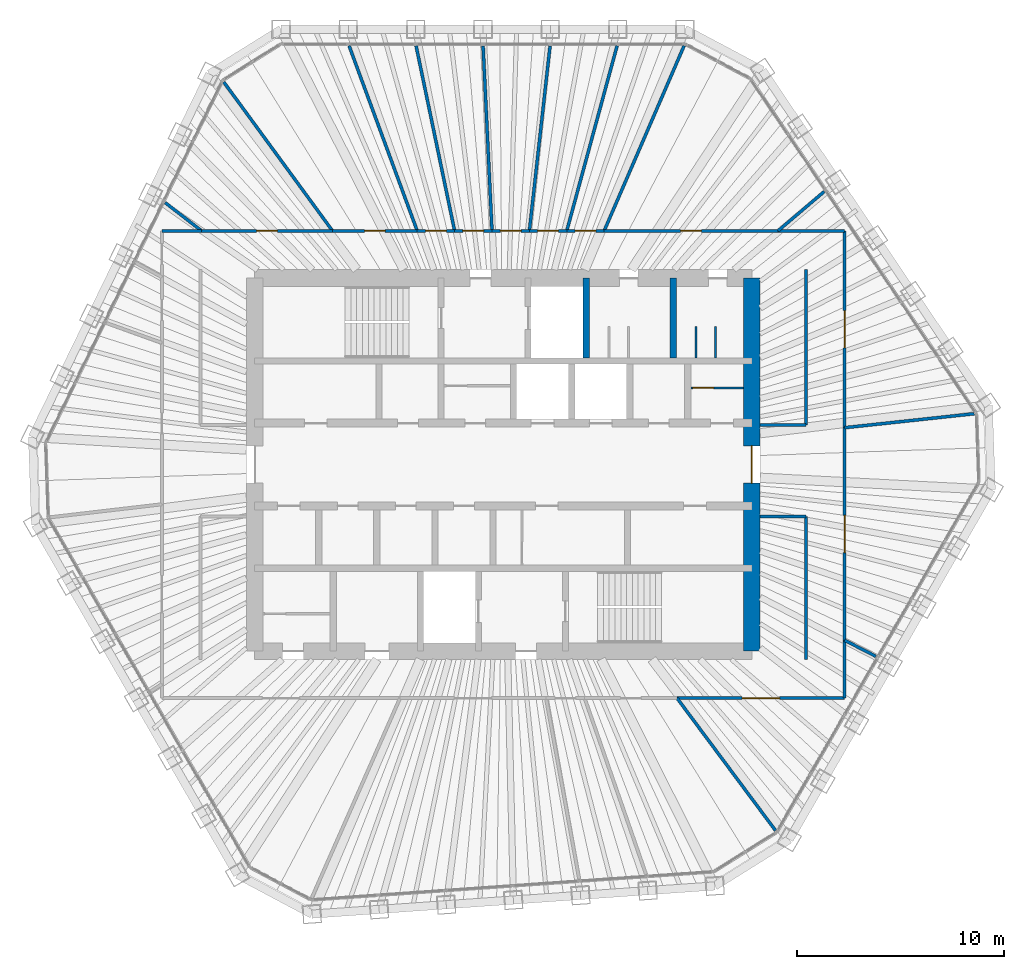
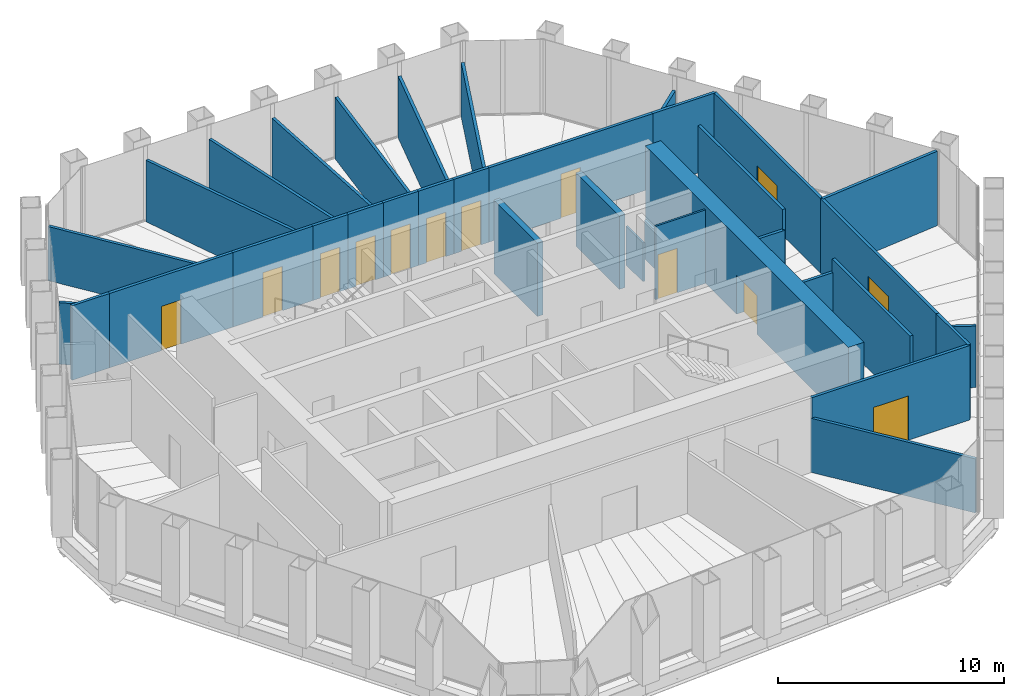
# One storey, part 13 of 15: 36 walls, 13 doors, 13 openings.
"""IFC4 building model written with IfcOpenShell, lengths in metres."""

from ifc_helpers import new_model, si_unit, direction, frame, frame_2d, origin, place, context, subcontext, project, spatial, rectangle, extrude, material, layer, layer_set, type_object, element, fill, save


model = new_model("IFC4")

# Units and contexts
model_context = context("Model", 3, precision=1e-05, world=origin(), true_north=direction((0.0, 1.0)))
body_context = subcontext(model_context, "Body", "Model", "MODEL_VIEW")
ifc_project = project(units=[si_unit("LENGTHUNIT", "METRE"), si_unit("AREAUNIT", "SQUARE_METRE"), si_unit("VOLUMEUNIT", "CUBIC_METRE"), si_unit("PLANEANGLEUNIT", "RADIAN"), si_unit("MASSUNIT", "GRAM", prefix="KILO")], contexts=[model_context])

# Site, building, storey
site_placement = place(None, origin())
site = spatial("IfcSite", under=ifc_project, at=site_placement, CompositionType="ELEMENT")
building_placement = place(site_placement, origin())
building = spatial("IfcBuilding", under=site, at=building_placement, Name="Qingtian Harvest Tower", CompositionType="ELEMENT")
storey_placement = place(building_placement, frame((0.0, 0.0, 312.39990234375)))
storey = spatial("IfcBuildingStorey", under=building, at=storey_placement, Name="L69", CompositionType="ELEMENT", Elevation=312.39990234375)

# Walls
ifc_material_1 = material(Name="Precast concrete shaft panel", Category="concrete")
ifc_layer_1 = layer(ifc_material_1, 0.300048828125)
ifc_layer_set_1 = layer_set([ifc_layer_1], Name="Core shaft partition SW1 300")
wall_type_1 = type_object("IfcWallType", Name="Core shaft partition SW1 300", PredefinedType="PARTITIONING", material=ifc_layer_set_1)
for number, where, z_axis, x_axis, name in (
    (1, (4.0, 5.14990234375, 0.0), (0.0, 0.0, 1.0), (0.0, 1.0, 0.0), "Core shaft partition XN3 L69"),
    (2, (8.199951171875, 5.14990234375, 0.0), (0.0, 0.0, 1.0), (0.0, 1.0, 0.0), "Core shaft partition XN4 L69"),
):
    element("IfcWall", number, at=place(storey_placement, frame(where, z_axis=z_axis, x_axis=x_axis)), inside=storey, type_object=wall_type_1, Name=name, PredefinedType="PARTITIONING", context=body_context, shape_type="SweptSolid", body=[
        extrude(rectangle(XDim=3.85009765625, YDim=0.300048828125, at=frame_2d((1.925048828125, 0.0))), origin(), (0.0, 0.0, 1.0), 3.97998046875),
    ])

# Wall, opening, door
ifc_material_2 = material(Name="Concrete fc' 70 MPa", Category="concrete")
ifc_layer_2 = layer(ifc_material_2, 0.800048828125)
ifc_layer_set_2 = layer_set([ifc_layer_2], Name="Core wall RC4 800")
wall_type_2 = type_object("IfcWallType", Name="Core wall RC4 800", PredefinedType="SHEAR", material=ifc_layer_set_2)
wall_1_placement = place(storey_placement, frame((12.0, -9.0, 0.0), z_axis=(0.0, 0.0, 1.0), x_axis=(0.0, 1.0, 0.0)))
wall_1 = element("IfcWall", 3, at=wall_1_placement, inside=storey, type_object=wall_type_2, Name="Core wall CE L69", PredefinedType="SHEAR", context=body_context, shape_type="SweptSolid", body=[
    extrude(rectangle(XDim=18.0, YDim=0.800048828125, at=frame_2d((9.0, 0.0))), origin(), (0.0, 0.0, 1.0), 4.2001953125),
])
opening_1_placement = place(wall_1_placement, frame((8.10009765625, 0.0, 0.0)))
opening_1 = element("IfcOpeningElement", 4, at=opening_1_placement, cuts=wall_1, Name="Opening FD2", PredefinedType="OPENING", context=body_context, shape_type="SweptSolid", body=[
    extrude(rectangle(XDim=1.800048828125, YDim=2.10009765625, at=frame_2d((0.89990234375, 1.050048828125))), frame((0.0, 0.409912109375, 0.0), z_axis=(0.0, -1.0, 0.0), x_axis=(1.0, 0.0, 0.0)), (0.0, 0.0, 1.0), 0.820068359375),
])
ifc_material_3 = material(Name="Steel-faced door leaf", Category="steel")
door_type_1 = type_object("IfcDoorType", Name="Fire door FD2 double 1 HR", OperationType="DOUBLE_DOOR_DOUBLE_SWING", PredefinedType="DOOR", material=ifc_material_3)
door_1_placement = place(opening_1_placement, origin())
door_1 = element("IfcDoor", 5, at=door_1_placement, inside=storey, type_object=door_type_1, Name="LOBBY-E door L69", OperationType="DOUBLE_DOOR_DOUBLE_SWING", OverallHeight=2.10009765625, OverallWidth=1.800048828125, PredefinedType="DOOR", context=body_context, shape_type="SweptSolid", body=[
    extrude(rectangle(XDim=1.800048828125, YDim=2.10009765625, at=frame_2d((0.89990234375, 1.050048828125))), frame((0.0, 0.02490234375, 0.0), z_axis=(0.0, -1.0, 0.0), x_axis=(1.0, 0.0, 0.0)), (0.0, 0.0, 1.0), 0.050048828125),
])
fill(opening_1, door_1)

# Wall
ifc_material_4 = material(Name="Gypsum board on steel studs", Category="steel")
ifc_layer_3 = layer(ifc_material_4, 0.14990234375)
ifc_layer_set_3 = layer_set([ifc_layer_3], Name="Partition PT1 150")
wall_type_3 = type_object("IfcWallType", Name="Partition PT1 150", PredefinedType="PARTITIONING", material=ifc_layer_set_3)
wall_2_placement = place(storey_placement, frame((22.725830078125, 2.45166015625, 0.0), z_axis=(0.0, 0.0, 1.0), x_axis=(-0.994231470971, -0.107255685772, 0.0)))
element("IfcWall", 6, at=wall_2_placement, inside=storey, type_object=wall_type_3, Name="Meeting room wall L69", PredefinedType="PARTITIONING", context=body_context, shape_type="SweptSolid", body=[
    extrude(rectangle(XDim=6.287109375, YDim=0.14990234375, at=frame_2d((3.1435546875, 0.0))), origin(), (0.0, 0.0, 1.0), 4.030029296875),
])

# Wall, opening, door
wall_3_placement = place(storey_placement, frame((16.47509765625, 1.77734375, 0.0), z_axis=(0.0, 0.0, 1.0), x_axis=(0.0, -1.0, 0.0)))
wall_3 = element("IfcWall", 7, at=wall_3_placement, inside=storey, type_object=wall_type_3, Name="Meeting room wall L69", PredefinedType="PARTITIONING", context=body_context, shape_type="SweptSolid", body=[
    extrude(rectangle(XDim=10.25927734375, YDim=0.14990234375, at=frame_2d((5.129638671875, 0.0))), origin(), (0.0, 0.0, 1.0), 4.030029296875),
])
opening_2_placement = place(wall_3_placement, frame((4.229736328125, 0.0, 0.0)))
opening_2 = element("IfcOpeningElement", 8, at=opening_2_placement, cuts=wall_3, Name="Opening D3", PredefinedType="OPENING", context=body_context, shape_type="SweptSolid", body=[
    extrude(rectangle(XDim=1.800048828125, YDim=2.39990234375, at=frame_2d((0.89990234375, 1.199951171875))), frame((0.0, 0.0849609375, 0.0), z_axis=(0.0, -1.0, 0.0), x_axis=(1.0, 0.0, 0.0)), (0.0, 0.0, 1.0), 0.169921875),
])
ifc_material_5 = material(Name="Laminated timber door leaf", Category="wood")
door_type_2 = type_object("IfcDoorType", Name="Room door D3 double", OperationType="DOUBLE_DOOR_DOUBLE_SWING", PredefinedType="DOOR", material=ifc_material_5)
door_2_placement = place(opening_2_placement, origin())
door_2 = element("IfcDoor", 9, at=door_2_placement, inside=storey, type_object=door_type_2, Name="Meeting room door L69", OperationType="DOUBLE_DOOR_DOUBLE_SWING", OverallHeight=2.39990234375, OverallWidth=1.800048828125, PredefinedType="DOOR", context=body_context, shape_type="SweptSolid", body=[
    extrude(rectangle(XDim=1.800048828125, YDim=2.39990234375, at=frame_2d((0.89990234375, 1.199951171875))), frame((0.0, 0.02490234375, 0.0), z_axis=(0.0, -1.0, 0.0), x_axis=(1.0, 0.0, 0.0)), (0.0, 0.0, 1.0), 0.050048828125),
])
fill(opening_2, door_2)

# Walls
wall_4_placement = place(storey_placement, frame((17.98046875, -9.257080078125, 0.0), z_axis=(0.0, 0.0, 1.0), x_axis=(-0.889058145064, 0.457794292991, 0.0)))
element("IfcWall", 10, at=wall_4_placement, inside=storey, type_object=wall_type_3, Name="Workplace zone wall L69", PredefinedType="PARTITIONING", context=body_context, shape_type="SweptSolid", body=[
    extrude(rectangle(XDim=1.693115234375, YDim=0.14990234375, at=frame_2d((0.8466796875, 0.0))), origin(), (0.0, 0.0, 1.0), 3.330078125),
])
wall_5_placement = place(storey_placement, frame((16.47509765625, -8.48193359375, 0.0), z_axis=(0.0, 0.0, 1.0), x_axis=(0.0, -1.0, 0.0)))
element("IfcWall", 11, at=wall_5_placement, inside=storey, type_object=wall_type_3, Name="Workplace zone wall L69", PredefinedType="PARTITIONING", context=body_context, shape_type="SweptSolid", body=[
    extrude(rectangle(XDim=2.79296875, YDim=0.14990234375, at=frame_2d((1.396484375, 0.0))), origin(), (0.0, 0.0, 1.0), 4.030029296875),
])

# Wall, opening, door
wall_6_placement = place(storey_placement, frame((16.47509765625, -11.27490234375, 0.0), z_axis=(0.0, 0.0, 1.0), x_axis=(-1.0, 0.0, 0.0)))
wall_6 = element("IfcWall", 12, at=wall_6_placement, inside=storey, type_object=wall_type_3, Name="Workplace zone wall L69", PredefinedType="PARTITIONING", context=body_context, shape_type="SweptSolid", body=[
    extrude(rectangle(XDim=8.087890625, YDim=0.14990234375, at=frame_2d((4.0439453125, 0.0))), origin(), (0.0, 0.0, 1.0), 4.030029296875),
])
opening_3_placement = place(wall_6_placement, frame((3.14404296875, 0.0, 0.0)))
opening_3 = element("IfcOpeningElement", 13, at=opening_3_placement, cuts=wall_6, Name="Opening D3", PredefinedType="OPENING", context=body_context, shape_type="SweptSolid", body=[
    extrude(rectangle(XDim=1.800048828125, YDim=2.39990234375, at=frame_2d((0.89990234375, 1.199951171875))), frame((0.0, 0.0849609375, 0.0), z_axis=(0.0, -1.0, 0.0), x_axis=(1.0, 0.0, 0.0)), (0.0, 0.0, 1.0), 0.169921875),
])
door_3_placement = place(opening_3_placement, origin())
door_3 = element("IfcDoor", 14, at=door_3_placement, inside=storey, type_object=door_type_2, Name="Workplace zone door L69", OperationType="DOUBLE_DOOR_DOUBLE_SWING", OverallHeight=2.39990234375, OverallWidth=1.800048828125, PredefinedType="DOOR", context=body_context, shape_type="SweptSolid", body=[
    extrude(rectangle(XDim=1.800048828125, YDim=2.39990234375, at=frame_2d((0.89990234375, 1.199951171875))), frame((0.0, 0.02490234375, 0.0), z_axis=(0.0, -1.0, 0.0), x_axis=(1.0, 0.0, 0.0)), (0.0, 0.0, 1.0), 0.050048828125),
])
fill(opening_3, door_3)

# Walls
wall_7_placement = place(storey_placement, frame((13.1376953125, -17.661376953125, 0.0), z_axis=(0.0, 0.0, 1.0), x_axis=(-0.596829877953, 0.802367806422, 0.0)))
element("IfcWall", 15, at=wall_7_placement, inside=storey, type_object=wall_type_3, Name="Private office wall L69", PredefinedType="PARTITIONING", context=body_context, shape_type="SweptSolid", body=[
    extrude(rectangle(XDim=7.95947265625, YDim=0.14990234375, at=frame_2d((3.979736328125, 0.0))), origin(), (0.0, 0.0, 1.0), 2.93017578125),
])
wall_8_placement = place(storey_placement, frame((-16.47509765625, 11.27490234375, 0.0), z_axis=(0.0, 0.0, 1.0), x_axis=(1.0, 0.0, 0.0)))
element("IfcWall", 16, at=wall_8_placement, inside=storey, type_object=wall_type_3, Name="Store room wall L69", PredefinedType="PARTITIONING", context=body_context, shape_type="SweptSolid", body=[
    extrude(rectangle(XDim=1.918701171875, YDim=0.14990234375, at=frame_2d((0.95947265625, 0.0))), origin(), (0.0, 0.0, 1.0), 4.030029296875),
])
wall_9_placement = place(storey_placement, frame((-16.313720703125, 12.63623046875, 0.0), z_axis=(0.0, 0.0, 1.0), x_axis=(0.790545318909, -0.612403542406, 0.0)))
element("IfcWall", 17, at=wall_9_placement, inside=storey, type_object=wall_type_3, Name="Meeting room wall L69", PredefinedType="PARTITIONING", context=body_context, shape_type="SweptSolid", body=[
    extrude(rectangle(XDim=2.222900390625, YDim=0.14990234375, at=frame_2d((1.111328125, 0.0))), origin(), (0.0, 0.0, 1.0), 3.330078125),
])

# Wall, opening, door
wall_10_placement = place(storey_placement, frame((-14.556396484375, 11.27490234375, 0.0), z_axis=(0.0, 0.0, 1.0), x_axis=(1.0, 0.0, 0.0)))
wall_10 = element("IfcWall", 18, at=wall_10_placement, inside=storey, type_object=wall_type_3, Name="Meeting room wall L69", PredefinedType="PARTITIONING", context=body_context, shape_type="SweptSolid", body=[
    extrude(rectangle(XDim=6.317138671875, YDim=0.14990234375, at=frame_2d((3.15869140625, 0.0))), origin(), (0.0, 0.0, 1.0), 4.030029296875),
])
opening_4_placement = place(wall_10_placement, frame((2.65869140625, 0.0, 0.0)))
opening_4 = element("IfcOpeningElement", 19, at=opening_4_placement, cuts=wall_10, Name="Opening D2", PredefinedType="OPENING", context=body_context, shape_type="SweptSolid", body=[
    extrude(rectangle(XDim=1.0, YDim=2.39990234375, at=frame_2d((0.5, 1.199951171875))), frame((0.0, 0.0849609375, 0.0), z_axis=(0.0, -1.0, 0.0), x_axis=(1.0, 0.0, 0.0)), (0.0, 0.0, 1.0), 0.169921875),
])
ifc_material_6 = material(Name="Laminated timber door leaf", Category="wood")
door_type_3 = type_object("IfcDoorType", Name="Room door D2 single", OperationType="SINGLE_SWING_LEFT", PredefinedType="DOOR", material=ifc_material_6)
door_4_placement = place(opening_4_placement, origin())
door_4 = element("IfcDoor", 20, at=door_4_placement, inside=storey, type_object=door_type_3, Name="Meeting room door L69", OperationType="SINGLE_SWING_LEFT", OverallHeight=2.39990234375, OverallWidth=1.0, PredefinedType="DOOR", context=body_context, shape_type="SweptSolid", body=[
    extrude(rectangle(XDim=1.0, YDim=2.39990234375, at=frame_2d((0.5, 1.199951171875))), frame((0.0, 0.02490234375, 0.0), z_axis=(0.0, -1.0, 0.0), x_axis=(1.0, 0.0, 0.0)), (0.0, 0.0, 1.0), 0.050048828125),
])
fill(opening_4, door_4)

# Wall
wall_11_placement = place(storey_placement, frame((-13.486083984375, 18.455322265625, 0.0), z_axis=(0.0, 0.0, 1.0), x_axis=(0.589986991866, -0.80741275035, 0.0)))
element("IfcWall", 21, at=wall_11_placement, inside=storey, type_object=wall_type_3, Name="Private office wall L69", PredefinedType="PARTITIONING", context=body_context, shape_type="SweptSolid", body=[
    extrude(rectangle(XDim=8.89306640625, YDim=0.14990234375, at=frame_2d((4.446533203125, 0.0))), origin(), (0.0, 0.0, 1.0), 2.93017578125),
])

# Wall, opening, door
wall_12_placement = place(storey_placement, frame((-8.2392578125, 11.27490234375, 0.0), z_axis=(0.0, 0.0, 1.0), x_axis=(1.0, 0.0, 0.0)))
wall_12 = element("IfcWall", 22, at=wall_12_placement, inside=storey, type_object=wall_type_3, Name="Private office wall L69", PredefinedType="PARTITIONING", context=body_context, shape_type="SweptSolid", body=[
    extrude(rectangle(XDim=4.087890625, YDim=0.14990234375, at=frame_2d((2.0439453125, 0.0))), origin(), (0.0, 0.0, 1.0), 4.030029296875),
])
opening_5_placement = place(wall_12_placement, frame((1.5439453125, 0.0, 0.0)))
opening_5 = element("IfcOpeningElement", 23, at=opening_5_placement, cuts=wall_12, Name="Opening D2", PredefinedType="OPENING", context=body_context, shape_type="SweptSolid", body=[
    extrude(rectangle(XDim=1.0, YDim=2.39990234375, at=frame_2d((0.5, 1.199951171875))), frame((0.0, 0.0849609375, 0.0), z_axis=(0.0, -1.0, 0.0), x_axis=(1.0, 0.0, 0.0)), (0.0, 0.0, 1.0), 0.169921875),
])
door_5_placement = place(opening_5_placement, origin())
door_5 = element("IfcDoor", 24, at=door_5_placement, inside=storey, type_object=door_type_3, Name="Private office door L69", OperationType="SINGLE_SWING_RIGHT", OverallHeight=2.39990234375, OverallWidth=1.0, PredefinedType="DOOR", context=body_context, shape_type="SweptSolid", body=[
    extrude(rectangle(XDim=1.0, YDim=2.39990234375, at=frame_2d((0.5, 1.199951171875))), frame((0.0, 0.02490234375, 0.0), z_axis=(0.0, -1.0, 0.0), x_axis=(1.0, 0.0, 0.0)), (0.0, 0.0, 1.0), 0.050048828125),
])
fill(opening_5, door_5)

# Wall
wall_13_placement = place(storey_placement, frame((-7.439697265625, 20.2060546875, 0.0), z_axis=(0.0, 0.0, 1.0), x_axis=(0.345511582319, -0.93841448544, 0.0)))
element("IfcWall", 25, at=wall_13_placement, inside=storey, type_object=wall_type_3, Name="Private office wall L69", PredefinedType="PARTITIONING", context=body_context, shape_type="SweptSolid", body=[
    extrude(rectangle(XDim=9.517333984375, YDim=0.14990234375, at=frame_2d((4.7587890625, 0.0))), origin(), (0.0, 0.0, 1.0), 3.330078125),
])

# Wall, opening, door
wall_14_placement = place(storey_placement, frame((-4.1513671875, 11.27490234375, 0.0), z_axis=(0.0, 0.0, 1.0), x_axis=(1.0, 0.0, 0.0)))
wall_14 = element("IfcWall", 26, at=wall_14_placement, inside=storey, type_object=wall_type_3, Name="Private office wall L69", PredefinedType="PARTITIONING", context=body_context, shape_type="SweptSolid", body=[
    extrude(rectangle(XDim=1.803955078125, YDim=0.14990234375, at=frame_2d((0.90185546875, 0.0))), origin(), (0.0, 0.0, 1.0), 4.030029296875),
])
opening_6_placement = place(wall_14_placement, frame((0.402099609375, 0.0, 0.0)))
opening_6 = element("IfcOpeningElement", 27, at=opening_6_placement, cuts=wall_14, Name="Opening D2", PredefinedType="OPENING", context=body_context, shape_type="SweptSolid", body=[
    extrude(rectangle(XDim=1.0, YDim=2.39990234375, at=frame_2d((0.5, 1.199951171875))), frame((0.0, 0.0849609375, 0.0), z_axis=(0.0, -1.0, 0.0), x_axis=(1.0, 0.0, 0.0)), (0.0, 0.0, 1.0), 0.169921875),
])
door_6_placement = place(opening_6_placement, origin())
door_6 = element("IfcDoor", 28, at=door_6_placement, inside=storey, type_object=door_type_3, Name="Private office door L69", OperationType="SINGLE_SWING_RIGHT", OverallHeight=2.39990234375, OverallWidth=1.0, PredefinedType="DOOR", context=body_context, shape_type="SweptSolid", body=[
    extrude(rectangle(XDim=1.0, YDim=2.39990234375, at=frame_2d((0.5, 1.199951171875))), frame((0.0, 0.02490234375, 0.0), z_axis=(0.0, -1.0, 0.0), x_axis=(1.0, 0.0, 0.0)), (0.0, 0.0, 1.0), 0.050048828125),
])
fill(opening_6, door_6)

# Wall
wall_15_placement = place(storey_placement, frame((-4.205810546875, 20.2021484375, 0.0), z_axis=(0.0, 0.0, 1.0), x_axis=(0.203802429316, -0.97901203762, 0.0)))
element("IfcWall", 29, at=wall_15_placement, inside=storey, type_object=wall_type_3, Name="Private office wall L69", PredefinedType="PARTITIONING", context=body_context, shape_type="SweptSolid", body=[
    extrude(rectangle(XDim=9.11865234375, YDim=0.14990234375, at=frame_2d((4.559326171875, 0.0))), origin(), (0.0, 0.0, 1.0), 3.330078125),
])

# Wall, opening, door
wall_16_placement = place(storey_placement, frame((-2.347412109375, 11.27490234375, 0.0), z_axis=(0.0, 0.0, 1.0), x_axis=(1.0, 0.0, 0.0)))
wall_16 = element("IfcWall", 30, at=wall_16_placement, inside=storey, type_object=wall_type_3, Name="Private office wall L69", PredefinedType="PARTITIONING", context=body_context, shape_type="SweptSolid", body=[
    extrude(rectangle(XDim=1.80419921875, YDim=0.14990234375, at=frame_2d((0.902099609375, 0.0))), origin(), (0.0, 0.0, 1.0), 4.030029296875),
])
opening_7_placement = place(wall_16_placement, frame((0.402099609375, 0.0, 0.0)))
opening_7 = element("IfcOpeningElement", 31, at=opening_7_placement, cuts=wall_16, Name="Opening D2", PredefinedType="OPENING", context=body_context, shape_type="SweptSolid", body=[
    extrude(rectangle(XDim=1.0, YDim=2.39990234375, at=frame_2d((0.5, 1.199951171875))), frame((0.0, 0.0849609375, 0.0), z_axis=(0.0, -1.0, 0.0), x_axis=(1.0, 0.0, 0.0)), (0.0, 0.0, 1.0), 0.169921875),
])
door_7_placement = place(opening_7_placement, origin())
door_7 = element("IfcDoor", 32, at=door_7_placement, inside=storey, type_object=door_type_3, Name="Private office door L69", OperationType="SINGLE_SWING_RIGHT", OverallHeight=2.39990234375, OverallWidth=1.0, PredefinedType="DOOR", context=body_context, shape_type="SweptSolid", body=[
    extrude(rectangle(XDim=1.0, YDim=2.39990234375, at=frame_2d((0.5, 1.199951171875))), frame((0.0, 0.02490234375, 0.0), z_axis=(0.0, -1.0, 0.0), x_axis=(1.0, 0.0, 0.0)), (0.0, 0.0, 1.0), 0.050048828125),
])
fill(opening_7, door_7)

# Wall
wall_17_placement = place(storey_placement, frame((-0.973388671875, 20.2001953125, 0.0), z_axis=(0.0, 0.0, 1.0), x_axis=(0.04814150135, -0.998840525734, 0.0)))
element("IfcWall", 33, at=wall_17_placement, inside=storey, type_object=wall_type_3, Name="Private office wall L69", PredefinedType="PARTITIONING", context=body_context, shape_type="SweptSolid", body=[
    extrude(rectangle(XDim=8.935546875, YDim=0.14990234375, at=frame_2d((4.4677734375, 0.0))), origin(), (0.0, 0.0, 1.0), 3.330078125),
])

# Wall, opening, door
wall_18_placement = place(storey_placement, frame((-0.543212890625, 11.27490234375, 0.0), z_axis=(0.0, 0.0, 1.0), x_axis=(1.0, 0.0, 0.0)))
wall_18 = element("IfcWall", 34, at=wall_18_placement, inside=storey, type_object=wall_type_3, Name="Private office wall L69", PredefinedType="PARTITIONING", context=body_context, shape_type="SweptSolid", body=[
    extrude(rectangle(XDim=1.803955078125, YDim=0.14990234375, at=frame_2d((0.90185546875, 0.0))), origin(), (0.0, 0.0, 1.0), 4.030029296875),
])
opening_8_placement = place(wall_18_placement, frame((0.402099609375, 0.0, 0.0)))
opening_8 = element("IfcOpeningElement", 35, at=opening_8_placement, cuts=wall_18, Name="Opening D2", PredefinedType="OPENING", context=body_context, shape_type="SweptSolid", body=[
    extrude(rectangle(XDim=1.0, YDim=2.39990234375, at=frame_2d((0.5, 1.199951171875))), frame((0.0, 0.0849609375, 0.0), z_axis=(0.0, -1.0, 0.0), x_axis=(1.0, 0.0, 0.0)), (0.0, 0.0, 1.0), 0.169921875),
])
door_8_placement = place(opening_8_placement, origin())
door_8 = element("IfcDoor", 36, at=door_8_placement, inside=storey, type_object=door_type_3, Name="Private office door L69", OperationType="SINGLE_SWING_RIGHT", OverallHeight=2.39990234375, OverallWidth=1.0, PredefinedType="DOOR", context=body_context, shape_type="SweptSolid", body=[
    extrude(rectangle(XDim=1.0, YDim=2.39990234375, at=frame_2d((0.5, 1.199951171875))), frame((0.0, 0.02490234375, 0.0), z_axis=(0.0, -1.0, 0.0), x_axis=(1.0, 0.0, 0.0)), (0.0, 0.0, 1.0), 0.050048828125),
])
fill(opening_8, door_8)

# Wall
wall_19_placement = place(storey_placement, frame((2.2587890625, 20.20068359375, 0.0), z_axis=(0.0, 0.0, 1.0), x_axis=(-0.111123668582, -0.993806585952, 0.0)))
element("IfcWall", 37, at=wall_19_placement, inside=storey, type_object=wall_type_3, Name="Private office wall L69", PredefinedType="PARTITIONING", context=body_context, shape_type="SweptSolid", body=[
    extrude(rectangle(XDim=8.9814453125, YDim=0.14990234375, at=frame_2d((4.49072265625, 0.0))), origin(), (0.0, 0.0, 1.0), 3.330078125),
])

# Wall, opening, door
wall_20_placement = place(storey_placement, frame((1.2607421875, 11.27490234375, 0.0), z_axis=(0.0, 0.0, 1.0), x_axis=(1.0, 0.0, 0.0)))
wall_20 = element("IfcWall", 38, at=wall_20_placement, inside=storey, type_object=wall_type_3, Name="Private office wall L69", PredefinedType="PARTITIONING", context=body_context, shape_type="SweptSolid", body=[
    extrude(rectangle(XDim=1.803955078125, YDim=0.14990234375, at=frame_2d((0.90185546875, 0.0))), origin(), (0.0, 0.0, 1.0), 4.030029296875),
])
opening_9_placement = place(wall_20_placement, frame((0.402099609375, 0.0, 0.0)))
opening_9 = element("IfcOpeningElement", 39, at=opening_9_placement, cuts=wall_20, Name="Opening D2", PredefinedType="OPENING", context=body_context, shape_type="SweptSolid", body=[
    extrude(rectangle(XDim=1.0, YDim=2.39990234375, at=frame_2d((0.5, 1.199951171875))), frame((0.0, 0.0849609375, 0.0), z_axis=(0.0, -1.0, 0.0), x_axis=(1.0, 0.0, 0.0)), (0.0, 0.0, 1.0), 0.169921875),
])
door_9_placement = place(opening_9_placement, origin())
door_9 = element("IfcDoor", 40, at=door_9_placement, inside=storey, type_object=door_type_3, Name="Private office door L69", OperationType="SINGLE_SWING_LEFT", OverallHeight=2.39990234375, OverallWidth=1.0, PredefinedType="DOOR", context=body_context, shape_type="SweptSolid", body=[
    extrude(rectangle(XDim=1.0, YDim=2.39990234375, at=frame_2d((0.5, 1.199951171875))), frame((0.0, 0.02490234375, 0.0), z_axis=(0.0, -1.0, 0.0), x_axis=(1.0, 0.0, 0.0)), (0.0, 0.0, 1.0), 0.050048828125),
])
fill(opening_9, door_9)

# Wall
wall_21_placement = place(storey_placement, frame((5.49169921875, 20.20361328125, 0.0), z_axis=(0.0, 0.0, 1.0), x_axis=(-0.262302393053, -0.964985727666, 0.0)))
element("IfcWall", 41, at=wall_21_placement, inside=storey, type_object=wall_type_3, Name="Private office wall L69", PredefinedType="PARTITIONING", context=body_context, shape_type="SweptSolid", body=[
    extrude(rectangle(XDim=9.252685546875, YDim=0.14990234375, at=frame_2d((4.62646484375, 0.0))), origin(), (0.0, 0.0, 1.0), 3.330078125),
])

# Wall, opening, door
wall_22_placement = place(storey_placement, frame((3.064697265625, 11.27490234375, 0.0), z_axis=(0.0, 0.0, 1.0), x_axis=(1.0, 0.0, 0.0)))
wall_22 = element("IfcWall", 42, at=wall_22_placement, inside=storey, type_object=wall_type_3, Name="Private office wall L69", PredefinedType="PARTITIONING", context=body_context, shape_type="SweptSolid", body=[
    extrude(rectangle(XDim=1.803955078125, YDim=0.14990234375, at=frame_2d((0.90185546875, 0.0))), origin(), (0.0, 0.0, 1.0), 4.030029296875),
])
opening_10_placement = place(wall_22_placement, frame((0.402099609375, 0.0, 0.0)))
opening_10 = element("IfcOpeningElement", 43, at=opening_10_placement, cuts=wall_22, Name="Opening D2", PredefinedType="OPENING", context=body_context, shape_type="SweptSolid", body=[
    extrude(rectangle(XDim=1.0, YDim=2.39990234375, at=frame_2d((0.5, 1.199951171875))), frame((0.0, 0.0849609375, 0.0), z_axis=(0.0, -1.0, 0.0), x_axis=(1.0, 0.0, 0.0)), (0.0, 0.0, 1.0), 0.169921875),
])
door_10_placement = place(opening_10_placement, origin())
door_10 = element("IfcDoor", 44, at=door_10_placement, inside=storey, type_object=door_type_3, Name="Private office door L69", OperationType="SINGLE_SWING_LEFT", OverallHeight=2.39990234375, OverallWidth=1.0, PredefinedType="DOOR", context=body_context, shape_type="SweptSolid", body=[
    extrude(rectangle(XDim=1.0, YDim=2.39990234375, at=frame_2d((0.5, 1.199951171875))), frame((0.0, 0.02490234375, 0.0), z_axis=(0.0, -1.0, 0.0), x_axis=(1.0, 0.0, 0.0)), (0.0, 0.0, 1.0), 0.050048828125),
])
fill(opening_10, door_10)

# Wall
wall_23_placement = place(storey_placement, frame((8.726318359375, 20.208251953125, 0.0), z_axis=(0.0, 0.0, 1.0), x_axis=(-0.39644322536, -0.918059240499, 0.0)))
element("IfcWall", 45, at=wall_23_placement, inside=storey, type_object=wall_type_3, Name="Print room wall L69", PredefinedType="PARTITIONING", context=body_context, shape_type="SweptSolid", body=[
    extrude(rectangle(XDim=9.730712890625, YDim=0.14990234375, at=frame_2d((4.865234375, 0.0))), origin(), (0.0, 0.0, 1.0), 2.93017578125),
])

# Wall, opening, door
wall_24_placement = place(storey_placement, frame((4.86865234375, 11.27490234375, 0.0), z_axis=(0.0, 0.0, 1.0), x_axis=(1.0, 0.0, 0.0)))
wall_24 = element("IfcWall", 46, at=wall_24_placement, inside=storey, type_object=wall_type_3, Name="Print room wall L69", PredefinedType="PARTITIONING", context=body_context, shape_type="SweptSolid", body=[
    extrude(rectangle(XDim=8.388671875, YDim=0.14990234375, at=frame_2d((4.1943359375, 0.0))), origin(), (0.0, 0.0, 1.0), 4.030029296875),
])
opening_11_placement = place(wall_24_placement, frame((3.6943359375, 0.0, 0.0)))
opening_11 = element("IfcOpeningElement", 47, at=opening_11_placement, cuts=wall_24, Name="Opening D2", PredefinedType="OPENING", context=body_context, shape_type="SweptSolid", body=[
    extrude(rectangle(XDim=1.0, YDim=2.39990234375, at=frame_2d((0.5, 1.199951171875))), frame((0.0, 0.0849609375, 0.0), z_axis=(0.0, -1.0, 0.0), x_axis=(1.0, 0.0, 0.0)), (0.0, 0.0, 1.0), 0.169921875),
])
door_11_placement = place(opening_11_placement, origin())
door_11 = element("IfcDoor", 48, at=door_11_placement, inside=storey, type_object=door_type_3, Name="Print room door L69", OperationType="SINGLE_SWING_LEFT", OverallHeight=2.39990234375, OverallWidth=1.0, PredefinedType="DOOR", context=body_context, shape_type="SweptSolid", body=[
    extrude(rectangle(XDim=1.0, YDim=2.39990234375, at=frame_2d((0.5, 1.199951171875))), frame((0.0, 0.02490234375, 0.0), z_axis=(0.0, -1.0, 0.0), x_axis=(1.0, 0.0, 0.0)), (0.0, 0.0, 1.0), 0.050048828125),
])
fill(opening_11, door_11)

# Walls
wall_25_placement = place(storey_placement, frame((15.48388671875, 13.168701171875, 0.0), z_axis=(0.0, 0.0, 1.0), x_axis=(-0.761733198285, -0.647890835427, 0.0)))
element("IfcWall", 49, at=wall_25_placement, inside=storey, type_object=wall_type_3, Name="Workplace zone wall L69", PredefinedType="PARTITIONING", context=body_context, shape_type="SweptSolid", body=[
    extrude(rectangle(XDim=2.923095703125, YDim=0.14990234375, at=frame_2d((1.46142578125, 0.0))), origin(), (0.0, 0.0, 1.0), 3.330078125),
])
wall_26_placement = place(storey_placement, frame((13.25732421875, 11.27490234375, 0.0), z_axis=(0.0, 0.0, 1.0), x_axis=(1.0, 0.0, 0.0)))
element("IfcWall", 50, at=wall_26_placement, inside=storey, type_object=wall_type_3, Name="Workplace zone wall L69", PredefinedType="PARTITIONING", context=body_context, shape_type="SweptSolid", body=[
    extrude(rectangle(XDim=3.2177734375, YDim=0.14990234375, at=frame_2d((1.60888671875, 0.0))), origin(), (0.0, 0.0, 1.0), 4.030029296875),
])

# Wall, opening, door
wall_27_placement = place(storey_placement, frame((16.47509765625, 11.27490234375, 0.0), z_axis=(0.0, 0.0, 1.0), x_axis=(0.0, -1.0, 0.0)))
wall_27 = element("IfcWall", 51, at=wall_27_placement, inside=storey, type_object=wall_type_3, Name="Workplace zone wall L69", PredefinedType="PARTITIONING", context=body_context, shape_type="SweptSolid", body=[
    extrude(rectangle(XDim=9.49755859375, YDim=0.14990234375, at=frame_2d((4.748779296875, 0.0))), origin(), (0.0, 0.0, 1.0), 4.030029296875),
])
opening_12_placement = place(wall_27_placement, frame((3.848876953125, 0.0, 0.0)))
opening_12 = element("IfcOpeningElement", 52, at=opening_12_placement, cuts=wall_27, Name="Opening D3", PredefinedType="OPENING", context=body_context, shape_type="SweptSolid", body=[
    extrude(rectangle(XDim=1.800048828125, YDim=2.39990234375, at=frame_2d((0.89990234375, 1.199951171875))), frame((0.0, 0.0849609375, 0.0), z_axis=(0.0, -1.0, 0.0), x_axis=(1.0, 0.0, 0.0)), (0.0, 0.0, 1.0), 0.169921875),
])
door_12_placement = place(opening_12_placement, origin())
door_12 = element("IfcDoor", 53, at=door_12_placement, inside=storey, type_object=door_type_2, Name="Workplace zone door L69", OperationType="DOUBLE_DOOR_DOUBLE_SWING", OverallHeight=2.39990234375, OverallWidth=1.800048828125, PredefinedType="DOOR", context=body_context, shape_type="SweptSolid", body=[
    extrude(rectangle(XDim=1.800048828125, YDim=2.39990234375, at=frame_2d((0.89990234375, 1.199951171875))), frame((0.0, 0.02490234375, 0.0), z_axis=(0.0, -1.0, 0.0), x_axis=(1.0, 0.0, 0.0)), (0.0, 0.0, 1.0), 0.050048828125),
])
fill(opening_12, door_12)

# Walls
wall_28_placement = place(storey_placement, frame((14.60009765625, 1.89990234375, 0.0), z_axis=(0.0, 0.0, 1.0), x_axis=(0.0, 1.0, 0.0)))
element("IfcWall", 54, at=wall_28_placement, inside=storey, type_object=wall_type_3, Name="Coffee point wall L69", PredefinedType="PARTITIONING", context=body_context, shape_type="SweptSolid", body=[
    extrude(rectangle(XDim=7.5, YDim=0.14990234375, at=frame_2d((3.75, 0.0))), origin(), (0.0, 0.0, 1.0), 4.030029296875),
])
wall_29_placement = place(storey_placement, frame((12.39990234375, 1.89990234375, 0.0), z_axis=(0.0, 0.0, 1.0), x_axis=(1.0, 0.0, 0.0)))
element("IfcWall", 55, at=wall_29_placement, inside=storey, type_object=wall_type_3, Name="Coffee point wall L69", PredefinedType="PARTITIONING", context=body_context, shape_type="SweptSolid", body=[
    extrude(rectangle(XDim=2.2001953125, YDim=0.14990234375, at=frame_2d((1.10009765625, 0.0))), origin(), (0.0, 0.0, 1.0), 2.93017578125),
])
wall_30_placement = place(storey_placement, frame((14.60009765625, -9.39990234375, 0.0), z_axis=(0.0, 0.0, 1.0), x_axis=(0.0, 1.0, 0.0)))
element("IfcWall", 56, at=wall_30_placement, inside=storey, type_object=wall_type_3, Name="Print area wall L69", PredefinedType="PARTITIONING", context=body_context, shape_type="SweptSolid", body=[
    extrude(rectangle(XDim=6.89990234375, YDim=0.14990234375, at=frame_2d((3.449951171875, 0.0))), origin(), (0.0, 0.0, 1.0), 4.030029296875),
])
wall_31_placement = place(storey_placement, frame((12.39990234375, -2.5, 0.0), z_axis=(0.0, 0.0, 1.0), x_axis=(1.0, 0.0, 0.0)))
element("IfcWall", 57, at=wall_31_placement, inside=storey, type_object=wall_type_3, Name="Print area wall L69", PredefinedType="PARTITIONING", context=body_context, shape_type="SweptSolid", body=[
    extrude(rectangle(XDim=2.2001953125, YDim=0.14990234375, at=frame_2d((1.10009765625, 0.0))), origin(), (0.0, 0.0, 1.0), 3.330078125),
])

# Wall, opening, door
ifc_material_7 = material(Name="Concrete block partition", Category="concrete")
ifc_layer_4 = layer(ifc_material_7, 0.10009765625)
ifc_layer_set_4 = layer_set([ifc_layer_4], Name="Store partition PT3 100")
wall_type_4 = type_object("IfcWallType", Name="Store partition PT3 100", PredefinedType="PARTITIONING", material=ifc_layer_set_4)
wall_32_placement = place(storey_placement, frame((9.050048828125, 3.699951171875, 0.0), z_axis=(0.0, 0.0, 1.0), x_axis=(1.0, 0.0, 0.0)))
wall_32 = element("IfcWall", 58, at=wall_32_placement, inside=storey, type_object=wall_type_4, Name="Filter plant room wall L69", PredefinedType="PARTITIONING", context=body_context, shape_type="SweptSolid", body=[
    extrude(rectangle(XDim=2.550048828125, YDim=0.10009765625, at=frame_2d((1.27490234375, 0.0))), origin(), (0.0, 0.0, 1.0), 3.97998046875),
])
opening_13_placement = place(wall_32_placement, frame((0.10009765625, 0.0, 0.0)))
opening_13 = element("IfcOpeningElement", 59, at=opening_13_placement, cuts=wall_32, Name="Opening D2", PredefinedType="OPENING", context=body_context, shape_type="SweptSolid", body=[
    extrude(rectangle(XDim=1.0, YDim=2.39990234375, at=frame_2d((0.5, 1.199951171875))), frame((0.0, 0.06005859375, 0.0), z_axis=(0.0, -1.0, 0.0), x_axis=(1.0, 0.0, 0.0)), (0.0, 0.0, 1.0), 0.1201171875),
])
door_13_placement = place(opening_13_placement, origin())
door_13 = element("IfcDoor", 60, at=door_13_placement, inside=storey, type_object=door_type_3, Name="Filter plant room door L69", OperationType="SINGLE_SWING_RIGHT", OverallHeight=2.39990234375, OverallWidth=1.0, PredefinedType="DOOR", context=body_context, shape_type="SweptSolid", body=[
    extrude(rectangle(XDim=1.0, YDim=2.39990234375, at=frame_2d((0.5, 1.199951171875))), frame((0.0, 0.02490234375, 0.0), z_axis=(0.0, -1.0, 0.0), x_axis=(1.0, 0.0, 0.0)), (0.0, 0.0, 1.0), 0.050048828125),
])
fill(opening_13, door_13)

# Walls
ifc_material_8 = material(Name="Compact laminate cubicle partition", Category="plastic")
ifc_layer_5 = layer(ifc_material_8, 0.10009765625)
ifc_layer_set_5 = layer_set([ifc_layer_5], Name="WC cubicle partition WP1 100")
wall_type_5 = type_object("IfcWallType", Name="WC cubicle partition WP1 100", PredefinedType="PARTITIONING", material=ifc_layer_set_5)
for number, where, z_axis, x_axis, name in (
    (61, (9.300048828125, 5.14990234375, 0.0), (0.0, 0.0, 1.0), (0.0, 1.0, 0.0), "WC cubicle partition WCF L69"),
    (62, (10.25, 5.14990234375, 0.0), (0.0, 0.0, 1.0), (0.0, 1.0, 0.0), "WC cubicle partition WCF L69"),
):
    element("IfcWall", number, at=place(storey_placement, frame(where, z_axis=z_axis, x_axis=x_axis)), inside=storey, type_object=wall_type_5, Name=name, PredefinedType="PARTITIONING", context=body_context, shape_type="SweptSolid", body=[
        extrude(rectangle(XDim=1.5, YDim=0.10009765625, at=frame_2d((0.75, 0.0))), origin(), (0.0, 0.0, 1.0), 2.10009765625),
    ])

save(model, "model.ifc")
